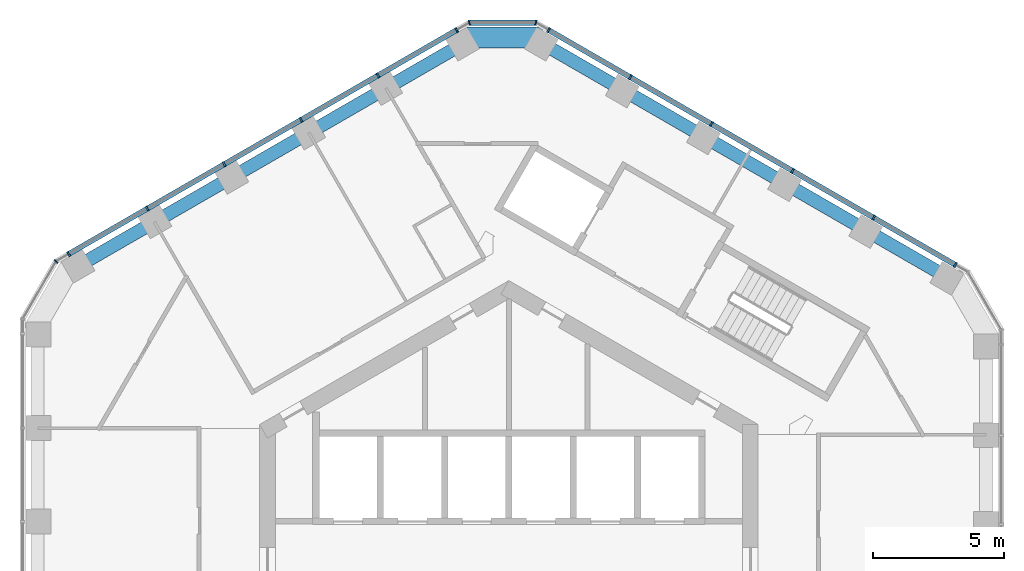
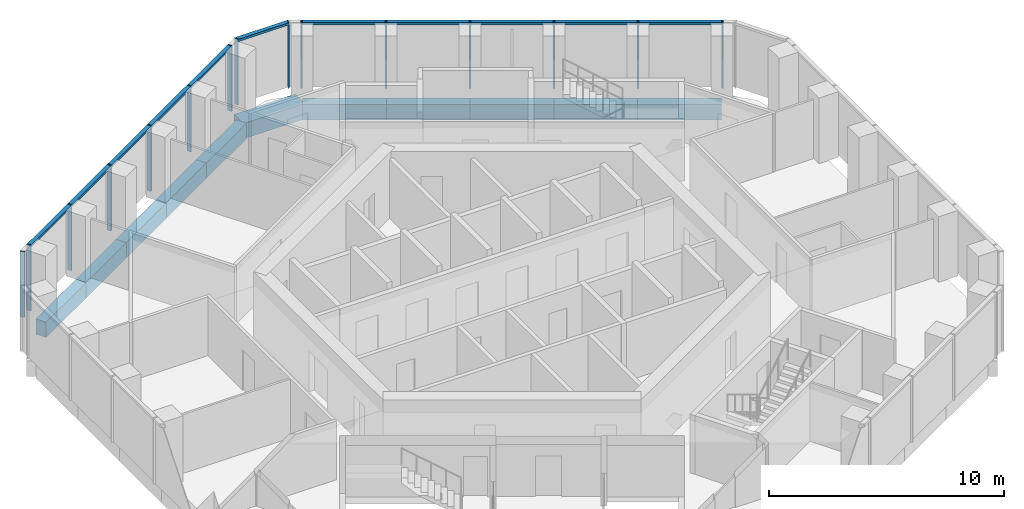
# One storey, part 6 of 18: 18 members, 11 beams, 4 elements without a shape of their own.
"""IFC4 building model written with IfcOpenShell, lengths in metres."""

from ifc_helpers import new_model, si_unit, direction, frame, origin, origin_2d, place, context, subcontext, project, spatial, rectangle, extrude, material, layer, layer_set, material_profile, profile_set, type_object, element, aggregate, save


model = new_model("IFC4")

# Units and contexts
model_context = context("Model", 3, precision=1e-05, world=origin(), true_north=direction((0.0, 1.0)))
body_context = subcontext(model_context, "Body", "Model", "MODEL_VIEW")
ifc_project = project(units=[si_unit("LENGTHUNIT", "METRE"), si_unit("AREAUNIT", "SQUARE_METRE"), si_unit("VOLUMEUNIT", "CUBIC_METRE"), si_unit("PLANEANGLEUNIT", "RADIAN"), si_unit("MASSUNIT", "GRAM", prefix="KILO")], contexts=[model_context])

# Site, building, storey
site_placement = place(None, origin())
site = spatial("IfcSite", under=ifc_project, at=site_placement, CompositionType="ELEMENT")
building_placement = place(site_placement, origin())
building = spatial("IfcBuilding", under=site, at=building_placement, Name="Ayvan Gate Tower", CompositionType="ELEMENT")
storey_placement = place(building_placement, frame((0.0, 0.0, 166.300048828125)))
storey = spatial("IfcBuildingStorey", under=building, at=storey_placement, Name="L44", CompositionType="ELEMENT", Elevation=166.300048828125)

# Beams
ifc_material_1 = material(Name="Concrete C40/50", Category="concrete")
ifc_material_profile_1 = material_profile(ifc_material_1, rectangle(XDim=0.800048828125, YDim=0.800048828125, at=origin_2d()), Name="RC 800x800")
ifc_profile_set_1 = profile_set([ifc_material_profile_1], Name="Concrete C40/50")
beam_type_1 = type_object("IfcBeamType", Name="Corner spandrel beam RC 800x800 C40/50", PredefinedType="BEAM", material=ifc_profile_set_1)
beam_1_placement = place(storey_placement, frame((1.275634765625, 20.224365234375, -0.75), z_axis=(-1.0, 0.0, 0.0), x_axis=(0.0, -1.0, 0.0)))
element("IfcBeam", 1, at=beam_1_placement, inside=storey, type_object=beam_type_1, Name="SB-L44-12", PredefinedType="BEAM", context=body_context, shape_type="SweptSolid", body=[
    extrude(rectangle(XDim=0.800048828125, YDim=0.800048828125, at=origin_2d()), origin(), (0.0, 0.0, 1.0), 3.0),
])
ifc_material_profile_2 = material_profile(ifc_material_1, rectangle(XDim=0.5, YDim=0.800048828125, at=origin_2d()), Name="RC 500x800")
ifc_profile_set_2 = profile_set([ifc_material_profile_2], Name="Concrete C40/50")
beam_type_2 = type_object("IfcBeamType", Name="Spandrel beam RC 500x800 C40/50", PredefinedType="BEAM", material=ifc_profile_set_2)
beam_2_placement = place(storey_placement, frame((16.6865234375, 11.10693359375, -0.75), z_axis=(-0.866026804234, 0.499997574342, 0.0), x_axis=(-0.499997574342, -0.866026804234, 0.0)))
element("IfcBeam", 2, at=beam_2_placement, inside=storey, type_object=beam_type_2, Name="SB-L44-7", PredefinedType="BEAM", context=body_context, shape_type="SweptSolid", body=[
    extrude(rectangle(XDim=0.5, YDim=0.800048828125, at=origin_2d()), origin(), (0.0, 0.0, 1.0), 3.55908203125),
])
beam_3_placement = place(storey_placement, frame((13.604248046875, 12.886474609375, -0.75), z_axis=(-0.866009653827, 0.500027278734, 0.0), x_axis=(-0.500027278734, -0.866009653827, 0.0)))
element("IfcBeam", 3, at=beam_3_placement, inside=storey, type_object=beam_type_2, Name="SB-L44-8", PredefinedType="BEAM", context=body_context, shape_type="SweptSolid", body=[
    extrude(rectangle(XDim=0.5, YDim=0.800048828125, at=origin_2d()), origin(), (0.0, 0.0, 1.0), 3.558837890625),
])
beam_4_placement = place(storey_placement, frame((10.522216796875, 14.666015625, -0.75), z_axis=(-0.866026804234, 0.499997574342, 0.0), x_axis=(-0.499997574342, -0.866026804234, 0.0)))
element("IfcBeam", 4, at=beam_4_placement, inside=storey, type_object=beam_type_2, Name="SB-L44-9", PredefinedType="BEAM", context=body_context, shape_type="SweptSolid", body=[
    extrude(rectangle(XDim=0.5, YDim=0.800048828125, at=origin_2d()), origin(), (0.0, 0.0, 1.0), 3.55908203125),
])
beam_5_placement = place(storey_placement, frame((7.43994140625, 16.445556640625, -0.75), z_axis=(-0.866009653827, 0.500027278734, 0.0), x_axis=(-0.500027278734, -0.866009653827, 0.0)))
element("IfcBeam", 5, at=beam_5_placement, inside=storey, type_object=beam_type_2, Name="SB-L44-10", PredefinedType="BEAM", context=body_context, shape_type="SweptSolid", body=[
    extrude(rectangle(XDim=0.5, YDim=0.800048828125, at=origin_2d()), origin(), (0.0, 0.0, 1.0), 3.558837890625),
])
beam_6_placement = place(storey_placement, frame((4.35791015625, 18.22509765625, -0.75), z_axis=(-0.866056506647, 0.499946124392, 0.0), x_axis=(-0.499946124392, -0.866056506647, 0.0)))
element("IfcBeam", 6, at=beam_6_placement, inside=storey, type_object=beam_type_2, Name="SB-L44-11", PredefinedType="BEAM", context=body_context, shape_type="SweptSolid", body=[
    extrude(rectangle(XDim=0.5, YDim=0.800048828125, at=origin_2d()), origin(), (0.0, 0.0, 1.0), 3.55908203125),
])
for number, where, z_axis, x_axis, name in (
    (7, (-1.724365234375, 20.00439453125, -0.75), (-0.866036268868, -0.499981180652, 0.0), (0.499981180652, -0.866036268868, 0.0), "SB-L44-13"),
    (8, (-4.671875, 18.302734375, -0.75), (-0.866005207655, -0.500034979091, 0.0), (0.500034979091, -0.866005207655, 0.0), "SB-L44-14"),
    (9, (-7.619384765625, 16.600830078125, -0.75), (-0.866054199175, -0.499950121604, 0.0), (0.499950121604, -0.866054199175, 0.0), "SB-L44-15"),
    (10, (-10.567138671875, 14.899169921875, -0.75), (-0.866005207655, -0.500034979091, 0.0), (0.500034979091, -0.866005207655, 0.0), "SB-L44-16"),
    (11, (-13.5146484375, 13.197265625, -0.75), (-0.866036268868, -0.499981180652, 0.0), (0.499981180652, -0.866036268868, 0.0), "SB-L44-17"),
):
    element("IfcBeam", number, at=place(storey_placement, frame(where, z_axis=z_axis, x_axis=x_axis)), inside=storey, type_object=beam_type_2, Name=name, PredefinedType="BEAM", context=body_context, shape_type="SweptSolid", body=[
        extrude(rectangle(XDim=0.5, YDim=0.800048828125, at=origin_2d()), origin(), (0.0, 0.0, 1.0), 3.403564453125),
    ])

# Curtain wall, members
ifc_material_2 = material(Name="Bronze anodised aluminium", Category="aluminium")
ifc_layer_1 = layer(ifc_material_2, 0.199951171875)
ifc_layer_set_1 = layer_set([ifc_layer_1], Name="Bronze anodised aluminium")
curtain_wall_type_1 = type_object("IfcCurtainWallType", Name="Stick curtain wall CW-2", PredefinedType="NOTDEFINED", material=ifc_layer_set_1)
curtain_wall_1_placement = place(storey_placement, origin())
curtain_wall_1 = element("IfcCurtainWall", 12, at=curtain_wall_1_placement, inside=storey, type_object=curtain_wall_type_1, Name="Stick curtain wall CW-2 L44", PredefinedType="NOTDEFINED")
ifc_material_profile_3 = material_profile(ifc_material_2, rectangle(XDim=0.199951171875, YDim=0.070068359375, at=origin_2d()), Name="Stick curtain wall CW-2 mullion 200 x 70")
ifc_profile_set_3 = profile_set([ifc_material_profile_3], Name="Bronze anodised aluminium")
member_type_1 = type_object("IfcMemberType", Name="Stick curtain wall CW-2 mullion 200 x 70", PredefinedType="MULLION", material=ifc_profile_set_3)
member_1_placement = place(storey_placement, frame((-1.98974609375, 20.51513671875, 0.0), z_axis=(0.0, 0.0, 1.0), x_axis=(-0.5, 0.866025403784, 0.0)))
member_1 = element("IfcMember", 13, at=member_1_placement, type_object=member_type_1, Name="CW-2 mullion 1", PredefinedType="MULLION", context=body_context, shape_type="SweptSolid", body=[
    extrude(rectangle(XDim=0.199951171875, YDim=0.070068359375, at=origin_2d()), origin(), (0.0, 0.0, 1.0), 3.39990234375),
])
member_2_placement = place(storey_placement, frame((-4.985107421875, 18.78564453125, 0.0), z_axis=(0.0, 0.0, 1.0), x_axis=(-0.5, 0.866025403784, 0.0)))
member_2 = element("IfcMember", 14, at=member_2_placement, type_object=member_type_1, Name="CW-2 mullion 2", PredefinedType="MULLION", context=body_context, shape_type="SweptSolid", body=[
    extrude(rectangle(XDim=0.199951171875, YDim=0.070068359375, at=origin_2d()), origin(), (0.0, 0.0, 1.0), 3.39990234375),
])
member_3_placement = place(storey_placement, frame((-7.915771484375, 17.09375, 0.0), z_axis=(0.0, 0.0, 1.0), x_axis=(-0.5, 0.866025403784, 0.0)))
member_3 = element("IfcMember", 15, at=member_3_placement, type_object=member_type_1, Name="CW-2 mullion 3", PredefinedType="MULLION", context=body_context, shape_type="SweptSolid", body=[
    extrude(rectangle(XDim=0.199951171875, YDim=0.070068359375, at=origin_2d()), origin(), (0.0, 0.0, 1.0), 3.39990234375),
])
member_4_placement = place(storey_placement, frame((-10.845703125, 15.40234375, 0.0), z_axis=(0.0, 0.0, 1.0), x_axis=(-0.5, 0.866025403784, 0.0)))
member_4 = element("IfcMember", 16, at=member_4_placement, type_object=member_type_1, Name="CW-2 mullion 4", PredefinedType="MULLION", context=body_context, shape_type="SweptSolid", body=[
    extrude(rectangle(XDim=0.199951171875, YDim=0.070068359375, at=origin_2d()), origin(), (0.0, 0.0, 1.0), 3.39990234375),
])
member_5_placement = place(storey_placement, frame((-13.7763671875, 13.710205078125, 0.0), z_axis=(0.0, 0.0, 1.0), x_axis=(-0.5, 0.866025403784, 0.0)))
member_5 = element("IfcMember", 17, at=member_5_placement, type_object=member_type_1, Name="CW-2 mullion 5", PredefinedType="MULLION", context=body_context, shape_type="SweptSolid", body=[
    extrude(rectangle(XDim=0.199951171875, YDim=0.070068359375, at=origin_2d()), origin(), (0.0, 0.0, 1.0), 3.39990234375),
])
member_6_placement = place(storey_placement, frame((-16.77197265625, 11.980712890625, 0.0), z_axis=(0.0, 0.0, 1.0), x_axis=(-0.5, 0.866025403784, 0.0)))
member_6 = element("IfcMember", 18, at=member_6_placement, type_object=member_type_1, Name="CW-2 mullion 6", PredefinedType="MULLION", context=body_context, shape_type="SweptSolid", body=[
    extrude(rectangle(XDim=0.199951171875, YDim=0.070068359375, at=origin_2d()), origin(), (0.0, 0.0, 1.0), 3.39990234375),
])

curtain_wall_2_placement = place(storey_placement, origin())
curtain_wall_2 = element("IfcCurtainWall", 19, at=curtain_wall_2_placement, inside=storey, type_object=curtain_wall_type_1, Name="Stick curtain wall CW-2 L44", PredefinedType="NOTDEFINED")
member_7_placement = place(storey_placement, frame((17.00927734375, 11.569580078125, 0.0), z_axis=(0.0, 0.0, 1.0), x_axis=(0.5, 0.866025403784, 0.0)))
member_7 = element("IfcMember", 20, at=member_7_placement, type_object=member_type_1, Name="CW-2 mullion 1", PredefinedType="MULLION", context=body_context, shape_type="SweptSolid", body=[
    extrude(rectangle(XDim=0.199951171875, YDim=0.070068359375, at=origin_2d()), origin(), (0.0, 0.0, 1.0), 3.39990234375),
])
member_8_placement = place(storey_placement, frame((13.8984375, 13.365478515625, 0.0), z_axis=(0.0, 0.0, 1.0), x_axis=(0.5, 0.866025403784, 0.0)))
member_8 = element("IfcMember", 21, at=member_8_placement, type_object=member_type_1, Name="CW-2 mullion 2", PredefinedType="MULLION", context=body_context, shape_type="SweptSolid", body=[
    extrude(rectangle(XDim=0.199951171875, YDim=0.070068359375, at=origin_2d()), origin(), (0.0, 0.0, 1.0), 3.39990234375),
])
member_9_placement = place(storey_placement, frame((10.8076171875, 15.150146484375, 0.0), z_axis=(0.0, 0.0, 1.0), x_axis=(0.5, 0.866025403784, 0.0)))
member_9 = element("IfcMember", 22, at=member_9_placement, type_object=member_type_1, Name="CW-2 mullion 3", PredefinedType="MULLION", context=body_context, shape_type="SweptSolid", body=[
    extrude(rectangle(XDim=0.199951171875, YDim=0.070068359375, at=origin_2d()), origin(), (0.0, 0.0, 1.0), 3.39990234375),
])
member_10_placement = place(storey_placement, frame((7.716796875, 16.9345703125, 0.0), z_axis=(0.0, 0.0, 1.0), x_axis=(0.5, 0.866025403784, 0.0)))
member_10 = element("IfcMember", 23, at=member_10_placement, type_object=member_type_1, Name="CW-2 mullion 4", PredefinedType="MULLION", context=body_context, shape_type="SweptSolid", body=[
    extrude(rectangle(XDim=0.199951171875, YDim=0.070068359375, at=origin_2d()), origin(), (0.0, 0.0, 1.0), 3.39990234375),
])
member_11_placement = place(storey_placement, frame((4.6259765625, 18.718994140625, 0.0), z_axis=(0.0, 0.0, 1.0), x_axis=(0.5, 0.866025403784, 0.0)))
member_11 = element("IfcMember", 24, at=member_11_placement, type_object=member_type_1, Name="CW-2 mullion 5", PredefinedType="MULLION", context=body_context, shape_type="SweptSolid", body=[
    extrude(rectangle(XDim=0.199951171875, YDim=0.070068359375, at=origin_2d()), origin(), (0.0, 0.0, 1.0), 3.39990234375),
])
member_12_placement = place(storey_placement, frame((1.514892578125, 20.51513671875, 0.0), z_axis=(0.0, 0.0, 1.0), x_axis=(0.5, 0.866025403784, 0.0)))
member_12 = element("IfcMember", 25, at=member_12_placement, type_object=member_type_1, Name="CW-2 mullion 6", PredefinedType="MULLION", context=body_context, shape_type="SweptSolid", body=[
    extrude(rectangle(XDim=0.199951171875, YDim=0.070068359375, at=origin_2d()), origin(), (0.0, 0.0, 1.0), 3.39990234375),
])

# Member
ifc_material_profile_4 = material_profile(ifc_material_2, rectangle(XDim=0.199951171875, YDim=0.1201171875, at=origin_2d()), Name="Stick curtain wall CW-2 transom 200 x 120")
ifc_profile_set_4 = profile_set([ifc_material_profile_4], Name="Bronze anodised aluminium")
member_type_2 = type_object("IfcMemberType", Name="Stick curtain wall CW-2 transom 200 x 120", PredefinedType="USERDEFINED", material=ifc_profile_set_4)
member_13_placement = place(storey_placement, frame((-1.98974609375, 20.51513671875, 3.33984375), z_axis=(-0.86602790654, -0.499995665075, 0.0), x_axis=(0.499995665075, -0.86602790654, 0.0)))
member_13 = element("IfcMember", 26, at=member_13_placement, type_object=member_type_2, Name="CW-2 transom 1", ObjectType="TRANSOM", PredefinedType="USERDEFINED", context=body_context, shape_type="SweptSolid", body=[
    extrude(rectangle(XDim=0.199951171875, YDim=0.1201171875, at=origin_2d()), origin(), (0.0, 0.0, 1.0), 17.069091796875),
])

aggregate(curtain_wall_1, [member_1, member_2, member_3, member_4, member_5, member_6, member_13])

member_14_placement = place(storey_placement, frame((17.00927734375, 11.569580078125, 3.33984375), z_axis=(-0.86602856399, 0.499994526324, 0.0), x_axis=(-0.499994526324, -0.86602856399, 0.0)))
member_14 = element("IfcMember", 27, at=member_14_placement, type_object=member_type_2, Name="CW-2 transom 1", ObjectType="TRANSOM", PredefinedType="USERDEFINED", context=body_context, shape_type="SweptSolid", body=[
    extrude(rectangle(XDim=0.199951171875, YDim=0.1201171875, at=origin_2d()), origin(), (0.0, 0.0, 1.0), 17.891357421875),
])

aggregate(curtain_wall_2, [member_7, member_8, member_9, member_10, member_11, member_12, member_14])

# Curtain wall, member
ifc_layer_2 = layer(ifc_material_2, 0.199951171875)
ifc_layer_set_2 = layer_set([ifc_layer_2], Name="Bronze anodised aluminium")
curtain_wall_type_2 = type_object("IfcCurtainWallType", Name="Stick curtain wall CW-6", PredefinedType="NOTDEFINED", material=ifc_layer_set_2)
curtain_wall_3_placement = place(storey_placement, origin())
curtain_wall_3 = element("IfcCurtainWall", 28, at=curtain_wall_3_placement, inside=storey, type_object=curtain_wall_type_2, Name="Stick curtain wall CW-6 L44", PredefinedType="NOTDEFINED")
ifc_material_profile_5 = material_profile(ifc_material_2, rectangle(XDim=0.199951171875, YDim=0.050048828125, at=origin_2d()), Name="Stick curtain wall CW-6 mullion 200 x 50")
ifc_profile_set_5 = profile_set([ifc_material_profile_5], Name="Bronze anodised aluminium")
member_type_3 = type_object("IfcMemberType", Name="Stick curtain wall CW-6 mullion 200 x 50", PredefinedType="MULLION", material=ifc_profile_set_5)
member_15_placement = place(storey_placement, frame((-17.2568359375, 11.70068359375, 0.0), z_axis=(0.0, 0.0, 1.0), x_axis=(-0.707106781187, 0.707106781187, 0.0)))
member_15 = element("IfcMember", 29, at=member_15_placement, type_object=member_type_3, Name="CW-6 mullion 2", PredefinedType="MULLION", context=body_context, shape_type="SweptSolid", body=[
    extrude(rectangle(XDim=0.199951171875, YDim=0.050048828125, at=origin_2d()), origin(), (0.0, 0.0, 1.0), 3.39990234375),
])
aggregate(curtain_wall_3, [member_15])

# Curtain wall, members
curtain_wall_4_placement = place(storey_placement, origin())
curtain_wall_4 = element("IfcCurtainWall", 30, at=curtain_wall_4_placement, inside=storey, type_object=curtain_wall_type_2, Name="Stick curtain wall CW-6 L44", PredefinedType="NOTDEFINED")
member_16_placement = place(storey_placement, frame((1.02978515625, 20.795166015625, 0.0), z_axis=(0.0, 0.0, 1.0), x_axis=(0.258819045103, 0.965925826289, 0.0)))
member_16 = element("IfcMember", 31, at=member_16_placement, type_object=member_type_3, Name="CW-6 mullion 2", PredefinedType="MULLION", context=body_context, shape_type="SweptSolid", body=[
    extrude(rectangle(XDim=0.199951171875, YDim=0.050048828125, at=origin_2d()), origin(), (0.0, 0.0, 1.0), 3.39990234375),
])
member_17_placement = place(storey_placement, frame((-1.504638671875, 20.795166015625, 0.0), z_axis=(0.0, 0.0, 1.0), x_axis=(-0.258819045103, 0.965925826289, 0.0)))
member_17 = element("IfcMember", 32, at=member_17_placement, type_object=member_type_3, Name="CW-6 mullion 3", PredefinedType="MULLION", context=body_context, shape_type="SweptSolid", body=[
    extrude(rectangle(XDim=0.199951171875, YDim=0.050048828125, at=origin_2d()), origin(), (0.0, 0.0, 1.0), 3.39990234375),
])
ifc_material_profile_6 = material_profile(ifc_material_2, rectangle(XDim=0.199951171875, YDim=0.1201171875, at=origin_2d()), Name="Stick curtain wall CW-6 transom 200 x 120")
ifc_profile_set_6 = profile_set([ifc_material_profile_6], Name="Bronze anodised aluminium")
member_type_4 = type_object("IfcMemberType", Name="Stick curtain wall CW-6 transom 200 x 120", PredefinedType="USERDEFINED", material=ifc_profile_set_6)
member_18_placement = place(storey_placement, frame((1.0048828125, 20.795166015625, 3.33984375), z_axis=(-1.0, 0.0, 0.0), x_axis=(0.0, -1.0, 0.0)))
member_18 = element("IfcMember", 33, at=member_18_placement, type_object=member_type_4, Name="CW-6 transom 2", ObjectType="TRANSOM", PredefinedType="USERDEFINED", context=body_context, shape_type="SweptSolid", body=[
    extrude(rectangle(XDim=0.199951171875, YDim=0.1201171875, at=origin_2d()), origin(), (0.0, 0.0, 1.0), 2.484619140625),
])
aggregate(curtain_wall_4, [member_16, member_17, member_18])

save(model, "model.ifc")
